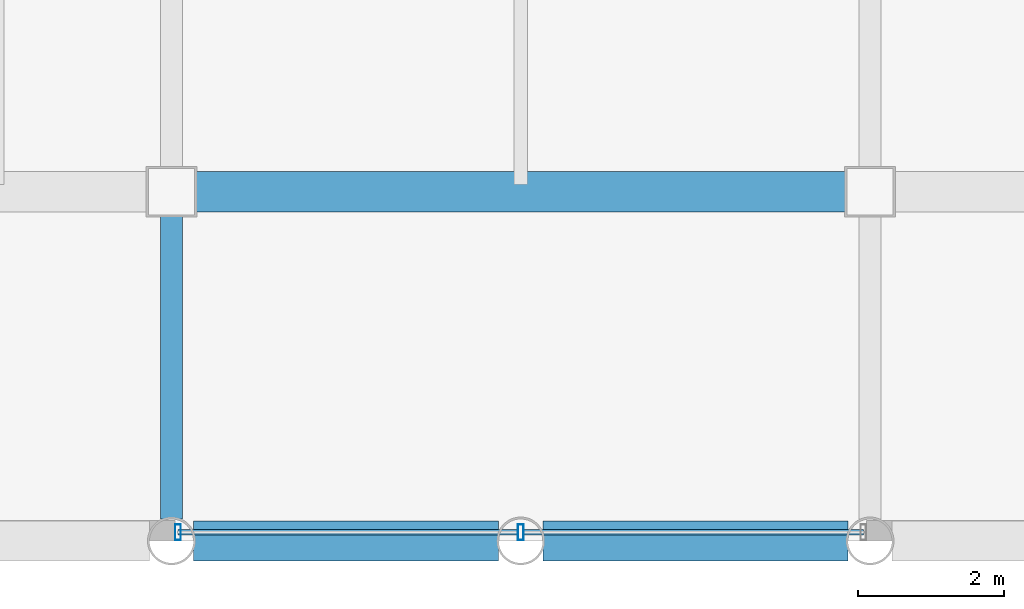
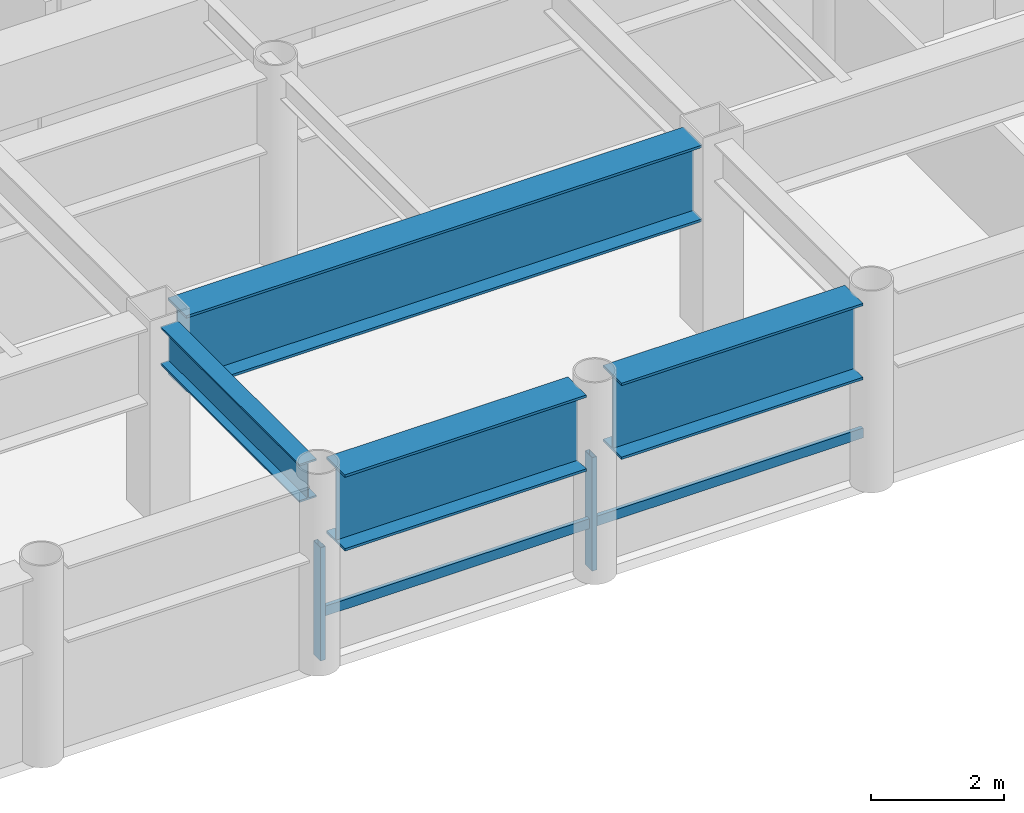
# One storey, part 3 of 22: 4 beams, 4 members, 1 element without a shape of its own.
"""IFC4 building model written with IfcOpenShell, lengths in metres."""

from ifc_helpers import new_model, si_unit, direction, frame, origin, origin_2d, place, context, subcontext, project, spatial, hollow_rectangle, i_section, extrude, material, layer, layer_set, material_profile, profile_set, type_object, element, aggregate, save


model = new_model("IFC4")

# Units and contexts
model_context = context("Model", 3, precision=1e-05, world=origin(), true_north=direction((0.0, 1.0)))
body_context = subcontext(model_context, "Body", "Model", "MODEL_VIEW")
ifc_project = project(units=[si_unit("LENGTHUNIT", "METRE"), si_unit("AREAUNIT", "SQUARE_METRE"), si_unit("VOLUMEUNIT", "CUBIC_METRE"), si_unit("PLANEANGLEUNIT", "RADIAN"), si_unit("MASSUNIT", "GRAM", prefix="KILO")], contexts=[model_context])

# Site, building, storey
site_placement = place(None, origin())
site = spatial("IfcSite", under=ifc_project, at=site_placement, CompositionType="ELEMENT")
building_placement = place(site_placement, origin())
building = spatial("IfcBuilding", under=site, at=building_placement, Name="Kallvorn Hotel Tower", CompositionType="ELEMENT")
storey_placement = place(building_placement, frame((0.0, 0.0, 95.199951171875)))
storey = spatial("IfcBuildingStorey", under=building, at=storey_placement, Name="L22", CompositionType="ELEMENT", Elevation=95.199951171875)

# Beams
ifc_material_1 = material(Name="Structural steel S355JR", Category="steel")
ifc_material_profile_1 = material_profile(ifc_material_1, i_section(OverallWidth=0.300048828125, OverallDepth=0.699951171875, WebThickness=0.01708984375, FlangeThickness=0.031982421875, at=origin_2d()), Name="HE 700 B")
ifc_profile_set_1 = profile_set([ifc_material_profile_1], Name="Structural steel S355JR")
beam_type_1 = type_object("IfcBeamType", Name="BM_HE700B", PredefinedType="BEAM", material=ifc_profile_set_1)
beam_1_placement = place(storey_placement, frame((-4.800048828125, -18.89501953125, 3.170166015625), z_axis=(0.0, 1.0, 0.0), x_axis=(-1.0, 0.0, 0.0)))
element("IfcBeam", 1, at=beam_1_placement, inside=storey, type_object=beam_type_1, Name="L23 Primary Y-Girder 105", PredefinedType="BEAM", context=body_context, shape_type="SweptSolid", body=[
    extrude(i_section(OverallWidth=0.300048828125, OverallDepth=0.699951171875, WebThickness=0.01708984375, FlangeThickness=0.031982421875, at=origin_2d()), origin(), (0.0, 0.0, 1.0), 4.169921875),
])
ifc_material_2 = material(Name="Structural steel S355JR", Category="steel")
ifc_material_profile_2 = material_profile(ifc_material_2, i_section(OverallWidth=0.550048828125, OverallDepth=1.39990234375, WebThickness=0.02490234375, FlangeThickness=0.044921875, at=origin_2d()), Name="PG 1400x550x25x45")
ifc_profile_set_2 = profile_set([ifc_material_profile_2], Name="Structural steel S355JR")
beam_type_2 = type_object("IfcBeamType", Name="BM_PG_1400", PredefinedType="BEAM", material=ifc_profile_set_2)
for number, where, z_axis, x_axis, name in (
    (2, (-4.4951171875, -19.199951171875, 2.820068359375), (1.0, 0.0, 0.0), (0.0, 1.0, 0.0), "L23 Primary X-Girder 06"),
    (3, (0.304931640625, -19.199951171875, 2.820068359375), (1.0, 0.0, 0.0), (0.0, 1.0, 0.0), "L23 Primary X-Girder 07"),
):
    element("IfcBeam", number, at=place(storey_placement, frame(where, z_axis=z_axis, x_axis=x_axis)), inside=storey, type_object=beam_type_2, Name=name, PredefinedType="BEAM", context=body_context, shape_type="SweptSolid", body=[
        extrude(i_section(OverallWidth=0.550048828125, OverallDepth=1.39990234375, WebThickness=0.02490234375, FlangeThickness=0.044921875, at=origin_2d()), origin(), (0.0, 0.0, 1.0), 4.190185546875),
    ])
beam_2_placement = place(storey_placement, frame((-4.47509765625, -14.39990234375, 2.820068359375), z_axis=(1.0, 0.0, 0.0), x_axis=(0.0, 1.0, 0.0)))
element("IfcBeam", 4, at=beam_2_placement, inside=storey, type_object=beam_type_2, Name="L23 Primary X-Girder 17", PredefinedType="BEAM", context=body_context, shape_type="SweptSolid", body=[
    extrude(i_section(OverallWidth=0.550048828125, OverallDepth=1.39990234375, WebThickness=0.02490234375, FlangeThickness=0.044921875, at=origin_2d()), origin(), (0.0, 0.0, 1.0), 8.9501953125),
])

# Curtain wall, members
ifc_material_3 = material(Name="Thermally broken black-anodised aluminium AA 6063-T6", Category="aluminium")
ifc_layer = layer(ifc_material_3, 0.199951171875)
ifc_layer_set = layer_set([ifc_layer], Name="CW_SYS_3_HOTEL_LOW")
curtain_wall_type = type_object("IfcCurtainWallType", Name="CW_SYS_3_HOTEL_LOW", PredefinedType="USERDEFINED", material=ifc_layer_set)
curtain_wall_placement = place(storey_placement, origin())
curtain_wall = element("IfcCurtainWall", 5, at=curtain_wall_placement, inside=storey, type_object=curtain_wall_type, Name="L22 Dark-Glass Curtain Wall CW-L22-SC", ObjectType="UNITISED CURTAIN WALL", PredefinedType="USERDEFINED")
ifc_material_4 = material(Name="Thermally broken black-anodised aluminium AA 6063-T6", Category="aluminium")
ifc_material_profile_3 = material_profile(ifc_material_4, hollow_rectangle(XDim=0.080078125, YDim=0.219970703125, WallThickness=0.0048828125, at=origin_2d()), Name="MUL 220x80")
ifc_profile_set_3 = profile_set([ifc_material_profile_3], Name="Thermally broken black-anodised aluminium AA 6063-T6")
member_type_1 = type_object("IfcMemberType", Name="CW_MULLION_220x80", PredefinedType="MULLION", material=ifc_profile_set_3)
member_1_placement = place(storey_placement, frame((-4.7099609375, -19.080078125, 0.02001953125), z_axis=(0.0, 0.0, 1.0), x_axis=(1.0, 0.0, 0.0)))
member_1 = element("IfcMember", 6, at=member_1_placement, type_object=member_type_1, Name="CW-L22-SC Mullion 00", PredefinedType="MULLION", context=body_context, shape_type="SweptSolid", body=[
    extrude(hollow_rectangle(XDim=0.080078125, YDim=0.219970703125, WallThickness=0.0048828125, at=origin_2d()), origin(), (0.0, 0.0, 1.0), 2.080078125),
])
member_2_placement = place(storey_placement, frame((0.0, -19.080078125, 0.02001953125), z_axis=(0.0, 0.0, 1.0), x_axis=(1.0, 0.0, 0.0)))
member_2 = element("IfcMember", 7, at=member_2_placement, type_object=member_type_1, Name="CW-L22-SC Mullion 01", PredefinedType="MULLION", context=body_context, shape_type="SweptSolid", body=[
    extrude(hollow_rectangle(XDim=0.080078125, YDim=0.219970703125, WallThickness=0.0048828125, at=origin_2d()), origin(), (0.0, 0.0, 1.0), 2.080078125),
])
ifc_material_5 = material(Name="Thermally broken black-anodised aluminium AA 6063-T6", Category="aluminium")
ifc_material_profile_4 = material_profile(ifc_material_5, hollow_rectangle(XDim=0.070068359375, YDim=0.179931640625, WallThickness=0.00390625, at=origin_2d()), Name="TRN 180x70")
ifc_profile_set_4 = profile_set([ifc_material_profile_4], Name="Thermally broken black-anodised aluminium AA 6063-T6")
member_type_2 = type_object("IfcMemberType", Name="CW_TRANSOM_180x70", PredefinedType="USERDEFINED", material=ifc_profile_set_4)
member_3_placement = place(storey_placement, frame((-4.7099609375, -19.080078125, 0.85009765625), z_axis=(1.0, 0.0, 0.0), x_axis=(0.0, 1.0, 0.0)))
member_3 = element("IfcMember", 8, at=member_3_placement, type_object=member_type_2, Name="CW-L22-SC Transom 00M", ObjectType="TRANSOM", PredefinedType="USERDEFINED", context=body_context, shape_type="SweptSolid", body=[
    extrude(hollow_rectangle(XDim=0.070068359375, YDim=0.179931640625, WallThickness=0.00390625, at=origin_2d()), origin(), (0.0, 0.0, 1.0), 4.669921875),
])
member_4_placement = place(storey_placement, frame((0.0400390625, -19.080078125, 0.85009765625), z_axis=(1.0, 0.0, 0.0), x_axis=(0.0, 1.0, 0.0)))
member_4 = element("IfcMember", 9, at=member_4_placement, type_object=member_type_2, Name="CW-L22-SC Transom 01M", ObjectType="TRANSOM", PredefinedType="USERDEFINED", context=body_context, shape_type="SweptSolid", body=[
    extrude(hollow_rectangle(XDim=0.070068359375, YDim=0.179931640625, WallThickness=0.00390625, at=origin_2d()), origin(), (0.0, 0.0, 1.0), 4.669921875),
])
aggregate(curtain_wall, [member_1, member_2, member_3, member_4])

save(model, "model.ifc")
